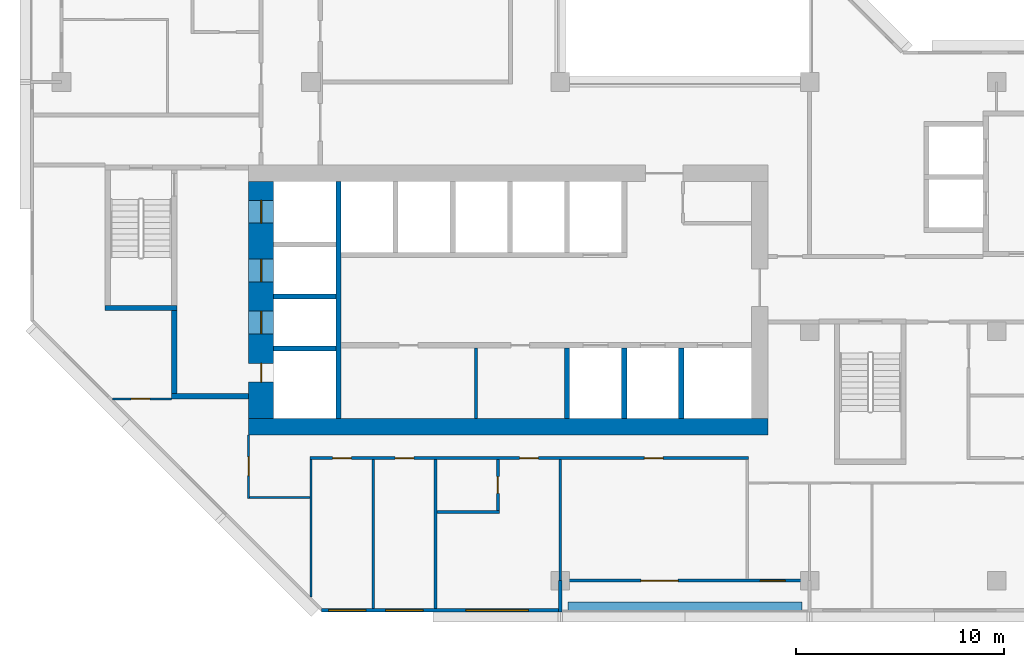
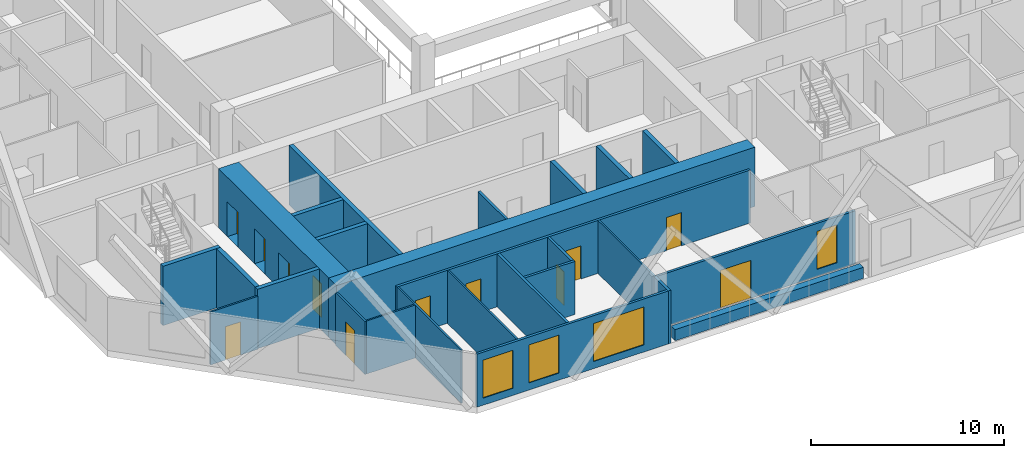
# One storey, part 4 of 15: 26 walls, 12 doors, 4 windows, 16 openings.
"""IFC4 building model written with IfcOpenShell, lengths in metres."""

from ifc_helpers import new_model, si_unit, direction, frame, frame_2d, origin, place, context, subcontext, project, spatial, rectangle, extrude, material, layer, layer_set, type_object, element, fill, save


model = new_model("IFC4")

# Units and contexts
model_context = context("Model", 3, precision=1e-05, world=origin(), true_north=direction((0.0, 1.0)))
body_context = subcontext(model_context, "Body", "Model", "MODEL_VIEW")
ifc_project = project(units=[si_unit("LENGTHUNIT", "METRE"), si_unit("AREAUNIT", "SQUARE_METRE"), si_unit("VOLUMEUNIT", "CUBIC_METRE"), si_unit("PLANEANGLEUNIT", "RADIAN"), si_unit("MASSUNIT", "GRAM", prefix="KILO")], contexts=[model_context])

# Site, building, storey
site_placement = place(None, origin())
site = spatial("IfcSite", under=ifc_project, at=site_placement, CompositionType="ELEMENT")
building_placement = place(site_placement, origin())
building = spatial("IfcBuilding", under=site, at=building_placement, Name="Chenar Terraces", CompositionType="ELEMENT")
storey_placement = place(building_placement, frame((0.0, 0.0, 172.39990234375)))
storey = spatial("IfcBuildingStorey", under=building, at=storey_placement, Name="L39", CompositionType="ELEMENT", Elevation=172.39990234375)

# Wall
ifc_material_1 = material(Name="Gypsum board on steel studs", Category="steel")
ifc_layer_1 = layer(ifc_material_1, 0.14990234375)
ifc_layer_set_1 = layer_set([ifc_layer_1], Name="Gypsum board on steel studs")
wall_type_1 = type_object("IfcWallType", Name="Core partition 150 gypsum board", PredefinedType="PARTITIONING", material=ifc_layer_set_1)
wall_1_placement = place(storey_placement, frame((19.949951171875, 7.800048828125, 0.0), z_axis=(0.0, 0.0, 1.0), x_axis=(0.0, 1.0, 0.0)))
element("IfcWall", 1, at=wall_1_placement, inside=storey, type_object=wall_type_1, Name="Core partition CP1 freed bay wall", PredefinedType="PARTITIONING", context=body_context, shape_type="SweptSolid", body=[
    extrude(rectangle(XDim=3.39990234375, YDim=0.14990234375, at=frame_2d((1.699951171875, 0.0))), origin(), (0.0, 0.0, 1.0), 3.35009765625),
])

# Wall, openings, doors
ifc_material_2 = material(Name="Concrete C60/75", Category="concrete")
ifc_layer_2 = layer(ifc_material_2, 1.199951171875)
ifc_layer_set_2 = layer_set([ifc_layer_2], Name="Concrete C60/75")
wall_type_2 = type_object("IfcWallType", Name="Core wall 1200 Concrete C60/75", PredefinedType="SHEAR", material=ifc_layer_set_2)
wall_2_placement = place(storey_placement, frame((9.60009765625, 7.800048828125, 0.0), z_axis=(0.0, 0.0, 1.0), x_axis=(0.0, 1.0, 0.0)))
wall_2 = element("IfcWall", 2, at=wall_2_placement, inside=storey, type_object=wall_type_2, Name="Core wall W L39", PredefinedType="SHEAR", context=body_context, shape_type="SweptSolid", body=[
    extrude(rectangle(XDim=11.39990234375, YDim=1.199951171875, at=frame_2d((5.699951171875, 0.0))), origin(), (0.0, 0.0, 1.0), 3.75),
])
opening_1_placement = place(wall_2_placement, frame((4.074951171875, 0.0, 0.0)))
opening_1 = element("IfcOpeningElement", 3, at=opening_1_placement, cuts=wall_2, Name="Opening DL39-LD5", PredefinedType="OPENING", context=body_context, shape_type="SweptSolid", body=[
    extrude(rectangle(XDim=1.10009765625, YDim=2.199951171875, at=frame_2d((0.550048828125, 1.10009765625))), frame((0.0, 0.60986328125, 0.0), z_axis=(0.0, -1.0, 0.0), x_axis=(1.0, 0.0, 0.0)), (0.0, 0.0, 1.0), 1.219970703125),
])
opening_2_placement = place(wall_2_placement, frame((6.574951171875, 0.0, 0.0)))
opening_2 = element("IfcOpeningElement", 4, at=opening_2_placement, cuts=wall_2, Name="Opening DL39-LD6", PredefinedType="OPENING", context=body_context, shape_type="SweptSolid", body=[
    extrude(rectangle(XDim=1.10009765625, YDim=2.199951171875, at=frame_2d((0.550048828125, 1.10009765625))), frame((0.0, 0.60986328125, 0.0), z_axis=(0.0, -1.0, 0.0), x_axis=(1.0, 0.0, 0.0)), (0.0, 0.0, 1.0), 1.219970703125),
])
opening_3_placement = place(wall_2_placement, frame((9.39990234375, 0.0, 0.0)))
opening_3 = element("IfcOpeningElement", 5, at=opening_3_placement, cuts=wall_2, Name="Opening DL39-LD7", PredefinedType="OPENING", context=body_context, shape_type="SweptSolid", body=[
    extrude(rectangle(XDim=1.10009765625, YDim=2.199951171875, at=frame_2d((0.550048828125, 1.10009765625))), frame((0.0, 0.60986328125, 0.0), z_axis=(0.0, -1.0, 0.0), x_axis=(1.0, 0.0, 0.0)), (0.0, 0.0, 1.0), 1.219970703125),
])
opening_4_placement = place(wall_2_placement, frame((1.75, 0.0, 0.0)))
opening_4 = element("IfcOpeningElement", 6, at=opening_4_placement, cuts=wall_2, Name="Opening DL39-C4", PredefinedType="OPENING", context=body_context, shape_type="SweptSolid", body=[
    extrude(rectangle(XDim=0.89990234375, YDim=2.10009765625, at=frame_2d((0.449951171875, 1.050048828125))), frame((0.0, 0.60986328125, 0.0), z_axis=(0.0, -1.0, 0.0), x_axis=(1.0, 0.0, 0.0)), (0.0, 0.0, 1.0), 1.219970703125),
])
ifc_material_3 = material(Name="Stainless steel", Category="steel")
door_type_1 = type_object("IfcDoorType", Name="Lift landing door 1100 x 2200 sliding", OperationType="DOUBLE_DOOR_SLIDING", PredefinedType="DOOR", material=ifc_material_3)
door_1_placement = place(opening_1_placement, origin())
door_1 = element("IfcDoor", 7, at=door_1_placement, inside=storey, type_object=door_type_1, Name="Landing door S1", OperationType="DOUBLE_DOOR_SLIDING", OverallHeight=2.199951171875, OverallWidth=1.10009765625, PredefinedType="DOOR", context=body_context, shape_type="SweptSolid", body=[
    extrude(rectangle(XDim=1.10009765625, YDim=2.199951171875, at=frame_2d((0.550048828125, 1.10009765625))), frame((0.0, 0.02490234375, 0.0), z_axis=(0.0, -1.0, 0.0), x_axis=(1.0, 0.0, 0.0)), (0.0, 0.0, 1.0), 0.050048828125),
])
fill(opening_1, door_1)
door_2_placement = place(opening_2_placement, origin())
door_2 = element("IfcDoor", 8, at=door_2_placement, inside=storey, type_object=door_type_1, Name="Landing door F1", OperationType="DOUBLE_DOOR_SLIDING", OverallHeight=2.199951171875, OverallWidth=1.10009765625, PredefinedType="DOOR", context=body_context, shape_type="SweptSolid", body=[
    extrude(rectangle(XDim=1.10009765625, YDim=2.199951171875, at=frame_2d((0.550048828125, 1.10009765625))), frame((0.0, 0.02490234375, 0.0), z_axis=(0.0, -1.0, 0.0), x_axis=(1.0, 0.0, 0.0)), (0.0, 0.0, 1.0), 0.050048828125),
])
fill(opening_2, door_2)
door_3_placement = place(opening_3_placement, origin())
door_3 = element("IfcDoor", 9, at=door_3_placement, inside=storey, type_object=door_type_1, Name="Landing door F2", OperationType="DOUBLE_DOOR_SLIDING", OverallHeight=2.199951171875, OverallWidth=1.10009765625, PredefinedType="DOOR", context=body_context, shape_type="SweptSolid", body=[
    extrude(rectangle(XDim=1.10009765625, YDim=2.199951171875, at=frame_2d((0.550048828125, 1.10009765625))), frame((0.0, 0.02490234375, 0.0), z_axis=(0.0, -1.0, 0.0), x_axis=(1.0, 0.0, 0.0)), (0.0, 0.0, 1.0), 0.050048828125),
])
fill(opening_3, door_3)
ifc_material_4 = material(Name="Steel-framed fire-resisting door leaf", Category="steel")
door_type_2 = type_object("IfcDoorType", Name="Riser fire door FD60 900 x 2100", OperationType="SINGLE_SWING_LEFT", PredefinedType="DOOR", material=ifc_material_4)
door_4_placement = place(opening_4_placement, frame((0.89990234375, 0.0, 0.0), z_axis=(0.0, 0.0, 1.0), x_axis=(-1.0, 0.0, 0.0)))
door_4 = element("IfcDoor", 10, at=door_4_placement, inside=storey, type_object=door_type_2, Name="Riser door DL39-C4", OperationType="SINGLE_SWING_LEFT", OverallHeight=2.10009765625, OverallWidth=0.89990234375, PredefinedType="DOOR", context=body_context, shape_type="SweptSolid", body=[
    extrude(rectangle(XDim=0.89990234375, YDim=2.10009765625, at=frame_2d((0.449951171875, 1.050048828125))), frame((0.0, 0.02490234375, 0.0), z_axis=(0.0, -1.0, 0.0), x_axis=(1.0, 0.0, 0.0)), (0.0, 0.0, 1.0), 0.050048828125),
])
fill(opening_4, door_4)

# Walls
ifc_material_5 = material(Name="Concrete C60/75", Category="concrete")
ifc_layer_3 = layer(ifc_material_5, 0.25)
ifc_layer_set_3 = layer_set([ifc_layer_3], Name="Concrete C60/75")
wall_type_3 = type_object("IfcWallType", Name="Core wall 250 Concrete C60/75", PredefinedType="SHEAR", material=ifc_layer_set_3)
wall_3_placement = place(storey_placement, frame((13.324951171875, 7.800048828125, 0.0), z_axis=(0.0, 0.0, 1.0), x_axis=(0.0, 1.0, 0.0)))
element("IfcWall", 11, at=wall_3_placement, inside=storey, type_object=wall_type_3, Name="Core wall WI L39", PredefinedType="SHEAR", context=body_context, shape_type="SweptSolid", body=[
    extrude(rectangle(XDim=11.39990234375, YDim=0.25, at=frame_2d((5.699951171875, 0.0))), origin(), (0.0, 0.0, 1.0), 3.75),
])
for number, where, z_axis, x_axis, name in (
    (12, (10.199951171875, 11.175048828125, 0.0), (0.0, 0.0, 1.0), (1.0, 0.0, 0.0), "Core wall HW0 L39"),
    (13, (10.199951171875, 13.675048828125, 0.0), (0.0, 0.0, 1.0), (1.0, 0.0, 0.0), "Core wall HW1 L39"),
):
    element("IfcWall", number, at=place(storey_placement, frame(where, z_axis=z_axis, x_axis=x_axis)), inside=storey, type_object=wall_type_3, Name=name, PredefinedType="SHEAR", context=body_context, shape_type="SweptSolid", body=[
        extrude(rectangle(XDim=3.0, YDim=0.25, at=frame_2d((1.5, 0.0))), origin(), (0.0, 0.0, 1.0), 3.75),
    ])
for number, where, z_axis, x_axis, name in (
    (14, (24.324951171875, 7.800048828125, 0.0), (0.0, 0.0, 1.0), (0.0, 1.0, 0.0), "Core wall SS3 L39"),
    (15, (27.074951171875, 7.800048828125, 0.0), (0.0, 0.0, 1.0), (0.0, 1.0, 0.0), "Core wall SS4 L39"),
    (16, (29.824951171875, 7.800048828125, 0.0), (0.0, 0.0, 1.0), (0.0, 1.0, 0.0), "Core wall SS5 L39"),
):
    element("IfcWall", number, at=place(storey_placement, frame(where, z_axis=z_axis, x_axis=x_axis)), inside=storey, type_object=wall_type_3, Name=name, PredefinedType="SHEAR", context=body_context, shape_type="SweptSolid", body=[
        extrude(rectangle(XDim=3.39990234375, YDim=0.25, at=frame_2d((1.699951171875, 0.0))), origin(), (0.0, 0.0, 1.0), 3.75),
    ])
wall_4_placement = place(storey_placement, frame((2.10009765625, 13.125, 0.0), z_axis=(0.0, 0.0, 1.0), x_axis=(1.0, 0.0, 0.0)))
element("IfcWall", 17, at=wall_4_placement, inside=storey, type_object=wall_type_3, Name="Core wall ST1_S L39", PredefinedType="SHEAR", context=body_context, shape_type="SweptSolid", body=[
    extrude(rectangle(XDim=3.449951171875, YDim=0.25, at=frame_2d((1.72509765625, 0.0))), origin(), (0.0, 0.0, 1.0), 3.75),
])
wall_5_placement = place(storey_placement, frame((5.300048828125, 8.875, 0.0), z_axis=(0.0, 0.0, 1.0), x_axis=(1.0, 0.0, 0.0)))
element("IfcWall", 18, at=wall_5_placement, inside=storey, type_object=wall_type_3, Name="Core wall FFL_S L39", PredefinedType="SHEAR", context=body_context, shape_type="SweptSolid", body=[
    extrude(rectangle(XDim=3.699951171875, YDim=0.25, at=frame_2d((1.85009765625, 0.0))), origin(), (0.0, 0.0, 1.0), 3.75),
])
wall_6_placement = place(storey_placement, frame((5.425048828125, 9.0, 0.0), z_axis=(0.0, 0.0, 1.0), x_axis=(0.0, 1.0, 0.0)))
element("IfcWall", 19, at=wall_6_placement, inside=storey, type_object=wall_type_3, Name="Core wall FFL_W L39", PredefinedType="SHEAR", context=body_context, shape_type="SweptSolid", body=[
    extrude(rectangle(XDim=4.0, YDim=0.25, at=frame_2d((2.0, 0.0))), origin(), (0.0, 0.0, 1.0), 3.75),
])
ifc_material_6 = material(Name="Concrete C60/75", Category="concrete")
ifc_layer_4 = layer(ifc_material_6, 0.800048828125)
ifc_layer_set_4 = layer_set([ifc_layer_4], Name="Concrete C60/75")
wall_type_4 = type_object("IfcWallType", Name="Core wall 800 Concrete C60/75", PredefinedType="SHEAR", material=ifc_layer_set_4)
wall_7_placement = place(storey_placement, frame((9.0, 7.39990234375, 0.0), z_axis=(0.0, 0.0, 1.0), x_axis=(1.0, 0.0, 0.0)))
element("IfcWall", 20, at=wall_7_placement, inside=storey, type_object=wall_type_4, Name="Core wall S L39", PredefinedType="SHEAR", context=body_context, shape_type="SweptSolid", body=[
    extrude(rectangle(XDim=25.0, YDim=0.800048828125, at=frame_2d((12.5, 0.0))), origin(), (0.0, 0.0, 1.0), 3.75),
])

# Wall, openings, windows
ifc_material_7 = material(Name="Aluminium framed glazing", Category="aluminium")
ifc_layer_5 = layer(ifc_material_7, 0.14990234375)
ifc_layer_set_5 = layer_set([ifc_layer_5], Name="Aluminium framed glazing")
wall_type_5 = type_object("IfcWallType", Name="Glazed flush facade wall 150", PredefinedType="SOLIDWALL", material=ifc_layer_set_5)
wall_8_placement = place(storey_placement, frame((12.5, -1.425048828125, 0.0), z_axis=(0.0, 0.0, 1.0), x_axis=(1.0, 0.0, 0.0)))
wall_8 = element("IfcWall", 21, at=wall_8_placement, inside=storey, type_object=wall_type_5, Name="Glazed flush facade wall", PredefinedType="SOLIDWALL", context=body_context, shape_type="SweptSolid", body=[
    extrude(rectangle(XDim=11.425048828125, YDim=0.14990234375, at=frame_2d((5.71240234375, 0.0))), origin(), (0.0, 0.0, 1.0), 3.35009765625),
])
opening_5_placement = place(wall_8_placement, frame((0.35009765625, 0.0, 0.449951171875)))
opening_5 = element("IfcOpeningElement", 22, at=opening_5_placement, cuts=wall_8, Name="Opening W180x240", PredefinedType="OPENING", context=body_context, shape_type="SweptSolid", body=[
    extrude(rectangle(XDim=1.800048828125, YDim=2.39990234375, at=frame_2d((0.89990234375, 1.199951171875))), frame((0.0, 0.0849609375, 0.0), z_axis=(0.0, -1.0, 0.0), x_axis=(1.0, 0.0, 0.0)), (0.0, 0.0, 1.0), 0.169921875),
])
opening_6_placement = place(wall_8_placement, frame((3.10009765625, 0.0, 0.449951171875)))
opening_6 = element("IfcOpeningElement", 23, at=opening_6_placement, cuts=wall_8, Name="Opening W180x240", PredefinedType="OPENING", context=body_context, shape_type="SweptSolid", body=[
    extrude(rectangle(XDim=1.800048828125, YDim=2.39990234375, at=frame_2d((0.89990234375, 1.199951171875))), frame((0.0, 0.0849609375, 0.0), z_axis=(0.0, -1.0, 0.0), x_axis=(1.0, 0.0, 0.0)), (0.0, 0.0, 1.0), 0.169921875),
])
opening_7_placement = place(wall_8_placement, frame((6.96240234375, 0.0, 0.449951171875)))
opening_7 = element("IfcOpeningElement", 24, at=opening_7_placement, cuts=wall_8, Name="Opening W300x240", PredefinedType="OPENING", context=body_context, shape_type="SweptSolid", body=[
    extrude(rectangle(XDim=3.0, YDim=2.39990234375, at=frame_2d((1.5, 1.199951171875))), frame((0.0, 0.0849609375, 0.0), z_axis=(0.0, -1.0, 0.0), x_axis=(1.0, 0.0, 0.0)), (0.0, 0.0, 1.0), 0.169921875),
])
ifc_material_8 = material(Name="Low emissivity double glazing, aluminium frame", Category="aluminium")
window_type_1 = type_object("IfcWindowType", Name="Fixed light 1800 x 2400", PartitioningType="SINGLE_PANEL", PredefinedType="WINDOW", material=ifc_material_8)
window_1_placement = place(opening_5_placement, origin())
window_1 = element("IfcWindow", 25, at=window_1_placement, inside=storey, type_object=window_type_1, Name="Window", OverallHeight=2.39990234375, OverallWidth=1.800048828125, PartitioningType="SINGLE_PANEL", PredefinedType="WINDOW", context=body_context, shape_type="SweptSolid", body=[
    extrude(rectangle(XDim=1.800048828125, YDim=2.39990234375, at=frame_2d((0.89990234375, 1.199951171875))), frame((0.0, 0.030029296875, 0.0), z_axis=(0.0, -1.0, 0.0), x_axis=(1.0, 0.0, 0.0)), (0.0, 0.0, 1.0), 0.06005859375),
])
fill(opening_5, window_1)
window_2_placement = place(opening_6_placement, origin())
window_2 = element("IfcWindow", 26, at=window_2_placement, inside=storey, type_object=window_type_1, Name="Window", OverallHeight=2.39990234375, OverallWidth=1.800048828125, PartitioningType="SINGLE_PANEL", PredefinedType="WINDOW", context=body_context, shape_type="SweptSolid", body=[
    extrude(rectangle(XDim=1.800048828125, YDim=2.39990234375, at=frame_2d((0.89990234375, 1.199951171875))), frame((0.0, 0.030029296875, 0.0), z_axis=(0.0, -1.0, 0.0), x_axis=(1.0, 0.0, 0.0)), (0.0, 0.0, 1.0), 0.06005859375),
])
fill(opening_6, window_2)
ifc_material_9 = material(Name="Low emissivity double glazing, aluminium frame", Category="aluminium")
window_type_2 = type_object("IfcWindowType", Name="Fixed light 3000 x 2400", PartitioningType="SINGLE_PANEL", PredefinedType="WINDOW", material=ifc_material_9)
window_3_placement = place(opening_7_placement, origin())
window_3 = element("IfcWindow", 27, at=window_3_placement, inside=storey, type_object=window_type_2, Name="Window", OverallHeight=2.39990234375, OverallWidth=3.0, PartitioningType="SINGLE_PANEL", PredefinedType="WINDOW", context=body_context, shape_type="SweptSolid", body=[
    extrude(rectangle(XDim=3.0, YDim=2.39990234375, at=frame_2d((1.5, 1.199951171875))), frame((0.0, 0.030029296875, 0.0), z_axis=(0.0, -1.0, 0.0), x_axis=(1.0, 0.0, 0.0)), (0.0, 0.0, 1.0), 0.06005859375),
])
fill(opening_7, window_3)

# Wall, openings, window, door
ifc_material_10 = material(Name="Aluminium framed glazing", Category="aluminium")
ifc_layer_6 = layer(ifc_material_10, 0.14990234375)
ifc_layer_set_6 = layer_set([ifc_layer_6], Name="Aluminium framed glazing")
wall_type_6 = type_object("IfcWallType", Name="Glazed loggia back wall 150", PredefinedType="SOLIDWALL", material=ifc_layer_set_6)
wall_9_placement = place(storey_placement, frame((24.074951171875, 0.0, 0.0), z_axis=(0.0, 0.0, 1.0), x_axis=(1.0, 0.0, 0.0)))
wall_9 = element("IfcWall", 28, at=wall_9_placement, inside=storey, type_object=wall_type_6, Name="Glazed loggia back wall", PredefinedType="SOLIDWALL", context=body_context, shape_type="SweptSolid", body=[
    extrude(rectangle(XDim=11.85009765625, YDim=0.14990234375, at=frame_2d((5.925048828125, 0.0))), origin(), (0.0, 0.0, 1.0), 3.35009765625),
])
opening_8_placement = place(wall_9_placement, frame((3.800048828125, 0.0, 0.0)))
opening_8 = element("IfcOpeningElement", 29, at=opening_8_placement, cuts=wall_9, Name="Opening DL39-G6", PredefinedType="OPENING", context=body_context, shape_type="SweptSolid", body=[
    extrude(rectangle(XDim=1.800048828125, YDim=2.39990234375, at=frame_2d((0.89990234375, 1.199951171875))), frame((0.0, 0.0849609375, 0.0), z_axis=(0.0, -1.0, 0.0), x_axis=(1.0, 0.0, 0.0)), (0.0, 0.0, 1.0), 0.169921875),
])
opening_9_placement = place(wall_9_placement, frame((9.550048828125, 0.0, 0.449951171875)))
opening_9 = element("IfcOpeningElement", 30, at=opening_9_placement, cuts=wall_9, Name="Opening W120x240", PredefinedType="OPENING", context=body_context, shape_type="SweptSolid", body=[
    extrude(rectangle(XDim=1.199951171875, YDim=2.39990234375, at=frame_2d((0.60009765625, 1.199951171875))), frame((0.0, 0.0849609375, 0.0), z_axis=(0.0, -1.0, 0.0), x_axis=(1.0, 0.0, 0.0)), (0.0, 0.0, 1.0), 0.169921875),
])
ifc_material_11 = material(Name="Low emissivity double glazing, aluminium frame", Category="aluminium")
window_type_3 = type_object("IfcWindowType", Name="Fixed light 1200 x 2400", PartitioningType="SINGLE_PANEL", PredefinedType="WINDOW", material=ifc_material_11)
window_4_placement = place(opening_9_placement, origin())
window_4 = element("IfcWindow", 31, at=window_4_placement, inside=storey, type_object=window_type_3, Name="Window", OverallHeight=2.39990234375, OverallWidth=1.199951171875, PartitioningType="SINGLE_PANEL", PredefinedType="WINDOW", context=body_context, shape_type="SweptSolid", body=[
    extrude(rectangle(XDim=1.199951171875, YDim=2.39990234375, at=frame_2d((0.60009765625, 1.199951171875))), frame((0.0, 0.030029296875, 0.0), z_axis=(0.0, -1.0, 0.0), x_axis=(1.0, 0.0, 0.0)), (0.0, 0.0, 1.0), 0.06005859375),
])
fill(opening_9, window_4)
ifc_material_12 = material(Name="Low emissivity double glazing, aluminium frame", Category="aluminium")
door_type_3 = type_object("IfcDoorType", Name="Loggia glazed double door 1800 x 2400", OperationType="DOUBLE_DOOR_SINGLE_SWING", PredefinedType="DOOR", material=ifc_material_12)
door_5_placement = place(opening_8_placement, frame((1.800048828125, 0.0, 0.0), z_axis=(0.0, 0.0, 1.0), x_axis=(-1.0, 0.0, 0.0)))
door_5 = element("IfcDoor", 32, at=door_5_placement, inside=storey, type_object=door_type_3, Name="Loggia glazed door", OperationType="DOUBLE_DOOR_SINGLE_SWING", OverallHeight=2.39990234375, OverallWidth=1.800048828125, PredefinedType="DOOR", context=body_context, shape_type="SweptSolid", body=[
    extrude(rectangle(XDim=1.800048828125, YDim=2.39990234375, at=frame_2d((0.89990234375, 1.199951171875))), frame((0.0, 0.02490234375, 0.0), z_axis=(0.0, -1.0, 0.0), x_axis=(1.0, 0.0, 0.0)), (0.0, 0.0, 1.0), 0.050048828125),
])
fill(opening_8, door_5)

# Wall, opening, door
ifc_material_13 = material(Name="Gypsum board on steel studs", Category="steel")
ifc_layer_7 = layer(ifc_material_13, 0.10009765625)
ifc_layer_set_7 = layer_set([ifc_layer_7], Name="Gypsum board on steel studs")
wall_type_7 = type_object("IfcWallType", Name="Gypsum partition 100", PredefinedType="PARTITIONING", material=ifc_layer_set_7)
wall_10_placement = place(storey_placement, frame((2.4609375, 8.75, 0.0), z_axis=(0.0, 0.0, 1.0), x_axis=(1.0, 0.0, 0.0)))
wall_10 = element("IfcWall", 33, at=wall_10_placement, inside=storey, type_object=wall_type_7, Name="Partition L39-013", PredefinedType="PARTITIONING", context=body_context, shape_type="SweptSolid", body=[
    extrude(rectangle(XDim=2.839111328125, YDim=0.10009765625, at=frame_2d((1.41943359375, 0.0))), origin(), (0.0, 0.0, 1.0), 3.35009765625),
])
opening_10_placement = place(wall_10_placement, frame((0.888916015625, 0.0, 0.0)))
opening_10 = element("IfcOpeningElement", 34, at=opening_10_placement, cuts=wall_10, Name="Opening DL39-50", PredefinedType="OPENING", context=body_context, shape_type="SweptSolid", body=[
    extrude(rectangle(XDim=0.89990234375, YDim=2.10009765625, at=frame_2d((0.449951171875, 1.050048828125))), frame((0.0, 0.06005859375, 0.0), z_axis=(0.0, -1.0, 0.0), x_axis=(1.0, 0.0, 0.0)), (0.0, 0.0, 1.0), 0.1201171875),
])
ifc_material_14 = material(Name="Veneered timber door leaf", Category="wood")
door_type_4 = type_object("IfcDoorType", Name="Door 900 x 2100", OperationType="SINGLE_SWING_LEFT", PredefinedType="DOOR", material=ifc_material_14)
door_6_placement = place(opening_10_placement, frame((0.89990234375, 0.0, 0.0), z_axis=(0.0, 0.0, 1.0), x_axis=(-1.0, 0.0, 0.0)))
door_6 = element("IfcDoor", 35, at=door_6_placement, inside=storey, type_object=door_type_4, Name="Door DL39-50", OperationType="SINGLE_SWING_RIGHT", OverallHeight=2.10009765625, OverallWidth=0.89990234375, PredefinedType="DOOR", context=body_context, shape_type="SweptSolid", body=[
    extrude(rectangle(XDim=0.89990234375, YDim=2.10009765625, at=frame_2d((0.449951171875, 1.050048828125))), frame((0.0, 0.02490234375, 0.0), z_axis=(0.0, -1.0, 0.0), x_axis=(1.0, 0.0, 0.0)), (0.0, 0.0, 1.0), 0.050048828125),
])
fill(opening_10, door_6)

wall_11_placement = place(storey_placement, frame((9.0, 3.949951171875, 0.0), z_axis=(0.0, 0.0, 1.0), x_axis=(0.0, 1.0, 0.0)))
wall_11 = element("IfcWall", 36, at=wall_11_placement, inside=storey, type_object=wall_type_7, Name="Partition L39-030", PredefinedType="PARTITIONING", context=body_context, shape_type="SweptSolid", body=[
    extrude(rectangle(XDim=3.050048828125, YDim=0.10009765625, at=frame_2d((1.52490234375, 0.0))), origin(), (0.0, 0.0, 1.0), 3.35009765625),
])
opening_11_placement = place(wall_11_placement, frame((1.10009765625, 0.0, 0.0)))
opening_11 = element("IfcOpeningElement", 37, at=opening_11_placement, cuts=wall_11, Name="Opening DL39-49", PredefinedType="OPENING", context=body_context, shape_type="SweptSolid", body=[
    extrude(rectangle(XDim=0.89990234375, YDim=2.10009765625, at=frame_2d((0.449951171875, 1.050048828125))), frame((0.0, 0.06005859375, 0.0), z_axis=(0.0, -1.0, 0.0), x_axis=(1.0, 0.0, 0.0)), (0.0, 0.0, 1.0), 0.1201171875),
])
door_7_placement = place(opening_11_placement, origin())
door_7 = element("IfcDoor", 38, at=door_7_placement, inside=storey, type_object=door_type_4, Name="Door DL39-49", OperationType="SINGLE_SWING_LEFT", OverallHeight=2.10009765625, OverallWidth=0.89990234375, PredefinedType="DOOR", context=body_context, shape_type="SweptSolid", body=[
    extrude(rectangle(XDim=0.89990234375, YDim=2.10009765625, at=frame_2d((0.449951171875, 1.050048828125))), frame((0.0, 0.02490234375, 0.0), z_axis=(0.0, -1.0, 0.0), x_axis=(1.0, 0.0, 0.0)), (0.0, 0.0, 1.0), 0.050048828125),
])
fill(opening_11, door_7)

# Walls
wall_12_placement = place(storey_placement, frame((9.050048828125, 4.0, 0.0), z_axis=(0.0, 0.0, 1.0), x_axis=(1.0, 0.0, 0.0)))
element("IfcWall", 39, at=wall_12_placement, inside=storey, type_object=wall_type_7, Name="Partition L39-031", PredefinedType="PARTITIONING", context=body_context, shape_type="SweptSolid", body=[
    extrude(rectangle(XDim=2.89990234375, YDim=0.10009765625, at=frame_2d((1.449951171875, 0.0))), origin(), (0.0, 0.0, 1.0), 3.35009765625),
])
wall_13_placement = place(storey_placement, frame((12.0, -0.787841796875, 0.0), z_axis=(0.0, 0.0, 1.0), x_axis=(0.0, 1.0, 0.0)))
element("IfcWall", 40, at=wall_13_placement, inside=storey, type_object=wall_type_7, Name="Partition L39-034", PredefinedType="PARTITIONING", context=body_context, shape_type="SweptSolid", body=[
    extrude(rectangle(XDim=6.61279296875, YDim=0.10009765625, at=frame_2d((3.306396484375, 0.0))), origin(), (0.0, 0.0, 1.0), 3.35009765625),
])
wall_14_placement = place(storey_placement, frame((15.0, -1.35107421875, 0.0), z_axis=(0.0, 0.0, 1.0), x_axis=(0.0, 1.0, 0.0)))
element("IfcWall", 41, at=wall_14_placement, inside=storey, type_object=wall_type_7, Name="Partition L39-045", PredefinedType="PARTITIONING", context=body_context, shape_type="SweptSolid", body=[
    extrude(rectangle(XDim=7.176025390625, YDim=0.10009765625, at=frame_2d((3.587890625, 0.0))), origin(), (0.0, 0.0, 1.0), 3.35009765625),
])
wall_15_placement = place(storey_placement, frame((24.0, 0.0, 0.0), z_axis=(0.0, 0.0, 1.0), x_axis=(0.0, 1.0, 0.0)))
element("IfcWall", 42, at=wall_15_placement, inside=storey, type_object=wall_type_7, Name="Partition L39-058", PredefinedType="PARTITIONING", context=body_context, shape_type="SweptSolid", body=[
    extrude(rectangle(XDim=5.824951171875, YDim=0.10009765625, at=frame_2d((2.91259765625, 0.0))), origin(), (0.0, 0.0, 1.0), 3.35009765625),
])
ifc_material_15 = material(Name="Terracotta cladding on insulated backing", Category="masonry")
ifc_layer_8 = layer(ifc_material_15, 0.14990234375)
ifc_layer_set_8 = layer_set([ifc_layer_8], Name="Terracotta cladding on insulated backing")
wall_type_8 = type_object("IfcWallType", Name="Loggia return wall 150", PredefinedType="SOLIDWALL", material=ifc_layer_set_8)
wall_16_placement = place(storey_placement, frame((24.0, -1.5, 0.0), z_axis=(0.0, 0.0, 1.0), x_axis=(0.0, 1.0, 0.0)))
element("IfcWall", 43, at=wall_16_placement, inside=storey, type_object=wall_type_8, Name="Loggia return wall", PredefinedType="SOLIDWALL", context=body_context, shape_type="SweptSolid", body=[
    extrude(rectangle(XDim=1.5, YDim=0.14990234375, at=frame_2d((0.75, 0.0))), origin(), (0.0, 0.0, 1.0), 3.35009765625),
])
ifc_material_16 = material(Name="GRP planter trough")
ifc_layer_9 = layer(ifc_material_16, 0.39990234375)
ifc_layer_set_9 = layer_set([ifc_layer_9], Name="GRP planter trough")
wall_type_9 = type_object("IfcWallType", Name="Vertical greenery planter 400", PredefinedType="SOLIDWALL", material=ifc_layer_set_9)
wall_17_placement = place(storey_placement, frame((24.375, -1.22900390625, 0.0), z_axis=(0.0, 0.0, 1.0), x_axis=(1.0, 0.0, 0.0)))
element("IfcWall", 44, at=wall_17_placement, inside=storey, type_object=wall_type_9, Name="Vertical greenery planter", PredefinedType="SOLIDWALL", context=body_context, shape_type="SweptSolid", body=[
    extrude(rectangle(XDim=11.25, YDim=0.39990234375, at=frame_2d((5.625, 0.0))), origin(), (0.0, 0.0, 1.0), 0.7001953125),
])

# Wall, openings, doors
ifc_material_17 = material(Name="Moisture-resistant gypsum board on steel studs", Category="steel")
ifc_layer_10 = layer(ifc_material_17, 0.14990234375)
ifc_layer_set_10 = layer_set([ifc_layer_10], Name="Moisture-resistant gypsum board on steel studs")
wall_type_10 = type_object("IfcWallType", Name="Wet-room partition 150", PredefinedType="PARTITIONING", material=ifc_layer_set_10)
wall_18_placement = place(storey_placement, frame((11.949951171875, 5.89990234375, 0.0), z_axis=(0.0, 0.0, 1.0), x_axis=(1.0, 0.0, 0.0)))
wall_18 = element("IfcWall", 45, at=wall_18_placement, inside=storey, type_object=wall_type_10, Name="Partition L39-033", PredefinedType="PARTITIONING", context=body_context, shape_type="SweptSolid", body=[
    extrude(rectangle(XDim=21.10009765625, YDim=0.14990234375, at=frame_2d((10.550048828125, 0.0))), origin(), (0.0, 0.0, 1.0), 3.35009765625),
])
opening_12_placement = place(wall_18_placement, frame((1.10009765625, 0.0, 0.0)))
opening_12 = element("IfcOpeningElement", 46, at=opening_12_placement, cuts=wall_18, Name="Opening DL39-45", PredefinedType="OPENING", context=body_context, shape_type="SweptSolid", body=[
    extrude(rectangle(XDim=0.89990234375, YDim=2.10009765625, at=frame_2d((0.449951171875, 1.050048828125))), frame((0.0, 0.0849609375, 0.0), z_axis=(0.0, -1.0, 0.0), x_axis=(1.0, 0.0, 0.0)), (0.0, 0.0, 1.0), 0.169921875),
])
opening_13_placement = place(wall_18_placement, frame((4.10009765625, 0.0, 0.0)))
opening_13 = element("IfcOpeningElement", 47, at=opening_13_placement, cuts=wall_18, Name="Opening DL39-46", PredefinedType="OPENING", context=body_context, shape_type="SweptSolid", body=[
    extrude(rectangle(XDim=0.89990234375, YDim=2.10009765625, at=frame_2d((0.449951171875, 1.050048828125))), frame((0.0, 0.0849609375, 0.0), z_axis=(0.0, -1.0, 0.0), x_axis=(1.0, 0.0, 0.0)), (0.0, 0.0, 1.0), 0.169921875),
])
opening_14_placement = place(wall_18_placement, frame((10.10009765625, 0.0, 0.0)))
opening_14 = element("IfcOpeningElement", 48, at=opening_14_placement, cuts=wall_18, Name="Opening DL39-51", PredefinedType="OPENING", context=body_context, shape_type="SweptSolid", body=[
    extrude(rectangle(XDim=0.89990234375, YDim=2.10009765625, at=frame_2d((0.449951171875, 1.050048828125))), frame((0.0, 0.0849609375, 0.0), z_axis=(0.0, -1.0, 0.0), x_axis=(1.0, 0.0, 0.0)), (0.0, 0.0, 1.0), 0.169921875),
])
opening_15_placement = place(wall_18_placement, frame((16.10009765625, 0.0, 0.0)))
opening_15 = element("IfcOpeningElement", 49, at=opening_15_placement, cuts=wall_18, Name="Opening DL39-55", PredefinedType="OPENING", context=body_context, shape_type="SweptSolid", body=[
    extrude(rectangle(XDim=0.89990234375, YDim=2.10009765625, at=frame_2d((0.449951171875, 1.050048828125))), frame((0.0, 0.0849609375, 0.0), z_axis=(0.0, -1.0, 0.0), x_axis=(1.0, 0.0, 0.0)), (0.0, 0.0, 1.0), 0.169921875),
])
door_8_placement = place(opening_12_placement, frame((0.89990234375, 0.0, 0.0), z_axis=(0.0, 0.0, 1.0), x_axis=(-1.0, 0.0, 0.0)))
door_8 = element("IfcDoor", 50, at=door_8_placement, inside=storey, type_object=door_type_4, Name="Door DL39-45", OperationType="SINGLE_SWING_RIGHT", OverallHeight=2.10009765625, OverallWidth=0.89990234375, PredefinedType="DOOR", context=body_context, shape_type="SweptSolid", body=[
    extrude(rectangle(XDim=0.89990234375, YDim=2.10009765625, at=frame_2d((0.449951171875, 1.050048828125))), frame((0.0, 0.02490234375, 0.0), z_axis=(0.0, -1.0, 0.0), x_axis=(1.0, 0.0, 0.0)), (0.0, 0.0, 1.0), 0.050048828125),
])
fill(opening_12, door_8)
door_9_placement = place(opening_13_placement, frame((0.89990234375, 0.0, 0.0), z_axis=(0.0, 0.0, 1.0), x_axis=(-1.0, 0.0, 0.0)))
door_9 = element("IfcDoor", 51, at=door_9_placement, inside=storey, type_object=door_type_4, Name="Door DL39-46", OperationType="SINGLE_SWING_RIGHT", OverallHeight=2.10009765625, OverallWidth=0.89990234375, PredefinedType="DOOR", context=body_context, shape_type="SweptSolid", body=[
    extrude(rectangle(XDim=0.89990234375, YDim=2.10009765625, at=frame_2d((0.449951171875, 1.050048828125))), frame((0.0, 0.02490234375, 0.0), z_axis=(0.0, -1.0, 0.0), x_axis=(1.0, 0.0, 0.0)), (0.0, 0.0, 1.0), 0.050048828125),
])
fill(opening_13, door_9)
door_10_placement = place(opening_14_placement, frame((0.89990234375, 0.0, 0.0), z_axis=(0.0, 0.0, 1.0), x_axis=(-1.0, 0.0, 0.0)))
door_10 = element("IfcDoor", 52, at=door_10_placement, inside=storey, type_object=door_type_4, Name="Door DL39-51", OperationType="SINGLE_SWING_RIGHT", OverallHeight=2.10009765625, OverallWidth=0.89990234375, PredefinedType="DOOR", context=body_context, shape_type="SweptSolid", body=[
    extrude(rectangle(XDim=0.89990234375, YDim=2.10009765625, at=frame_2d((0.449951171875, 1.050048828125))), frame((0.0, 0.02490234375, 0.0), z_axis=(0.0, -1.0, 0.0), x_axis=(1.0, 0.0, 0.0)), (0.0, 0.0, 1.0), 0.050048828125),
])
fill(opening_14, door_10)
door_11_placement = place(opening_15_placement, frame((0.89990234375, 0.0, 0.0), z_axis=(0.0, 0.0, 1.0), x_axis=(-1.0, 0.0, 0.0)))
door_11 = element("IfcDoor", 53, at=door_11_placement, inside=storey, type_object=door_type_4, Name="Door DL39-55", OperationType="SINGLE_SWING_RIGHT", OverallHeight=2.10009765625, OverallWidth=0.89990234375, PredefinedType="DOOR", context=body_context, shape_type="SweptSolid", body=[
    extrude(rectangle(XDim=0.89990234375, YDim=2.10009765625, at=frame_2d((0.449951171875, 1.050048828125))), frame((0.0, 0.02490234375, 0.0), z_axis=(0.0, -1.0, 0.0), x_axis=(1.0, 0.0, 0.0)), (0.0, 0.0, 1.0), 0.050048828125),
])
fill(opening_15, door_11)

# Walls
wall_19_placement = place(storey_placement, frame((18.0, -1.35107421875, 0.0), z_axis=(0.0, 0.0, 1.0), x_axis=(0.0, 1.0, 0.0)))
element("IfcWall", 54, at=wall_19_placement, inside=storey, type_object=wall_type_10, Name="Partition L39-050", PredefinedType="PARTITIONING", context=body_context, shape_type="SweptSolid", body=[
    extrude(rectangle(XDim=7.176025390625, YDim=0.14990234375, at=frame_2d((3.587890625, 0.0))), origin(), (0.0, 0.0, 1.0), 3.35009765625),
])
wall_20_placement = place(storey_placement, frame((18.074951171875, 3.300048828125, 0.0), z_axis=(0.0, 0.0, 1.0), x_axis=(1.0, 0.0, 0.0)))
element("IfcWall", 55, at=wall_20_placement, inside=storey, type_object=wall_type_10, Name="Partition L39-051", PredefinedType="PARTITIONING", context=body_context, shape_type="SweptSolid", body=[
    extrude(rectangle(XDim=3.0, YDim=0.14990234375, at=frame_2d((1.5, 0.0))), origin(), (0.0, 0.0, 1.0), 3.35009765625),
])

# Wall, opening, door
wall_21_placement = place(storey_placement, frame((21.0, 3.375, 0.0), z_axis=(0.0, 0.0, 1.0), x_axis=(0.0, 1.0, 0.0)))
wall_21 = element("IfcWall", 56, at=wall_21_placement, inside=storey, type_object=wall_type_10, Name="Partition L39-056", PredefinedType="PARTITIONING", context=body_context, shape_type="SweptSolid", body=[
    extrude(rectangle(XDim=2.449951171875, YDim=0.14990234375, at=frame_2d((1.22509765625, 0.0))), origin(), (0.0, 0.0, 1.0), 3.35009765625),
])
opening_16_placement = place(wall_21_placement, frame((0.824951171875, 0.0, 0.0)))
opening_16 = element("IfcOpeningElement", 57, at=opening_16_placement, cuts=wall_21, Name="Opening DL39-52", PredefinedType="OPENING", context=body_context, shape_type="SweptSolid", body=[
    extrude(rectangle(XDim=0.800048828125, YDim=2.10009765625, at=frame_2d((0.39990234375, 1.050048828125))), frame((0.0, 0.0849609375, 0.0), z_axis=(0.0, -1.0, 0.0), x_axis=(1.0, 0.0, 0.0)), (0.0, 0.0, 1.0), 0.169921875),
])
ifc_material_18 = material(Name="Veneered timber door leaf", Category="wood")
door_type_5 = type_object("IfcDoorType", Name="Door 800 x 2100", OperationType="SINGLE_SWING_LEFT", PredefinedType="DOOR", material=ifc_material_18)
door_12_placement = place(opening_16_placement, origin())
door_12 = element("IfcDoor", 58, at=door_12_placement, inside=storey, type_object=door_type_5, Name="Door DL39-52", OperationType="SINGLE_SWING_RIGHT", OverallHeight=2.10009765625, OverallWidth=0.800048828125, PredefinedType="DOOR", context=body_context, shape_type="SweptSolid", body=[
    extrude(rectangle(XDim=0.800048828125, YDim=2.10009765625, at=frame_2d((0.39990234375, 1.050048828125))), frame((0.0, 0.02490234375, 0.0), z_axis=(0.0, -1.0, 0.0), x_axis=(1.0, 0.0, 0.0)), (0.0, 0.0, 1.0), 0.050048828125),
])
fill(opening_16, door_12)

save(model, "model.ifc")
